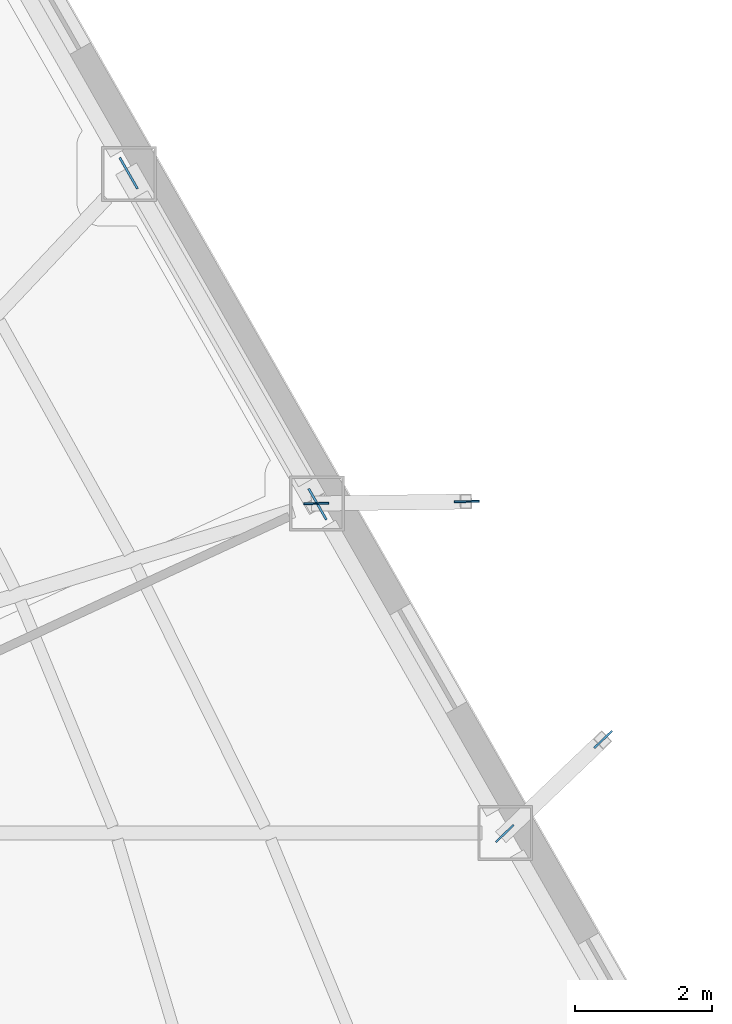
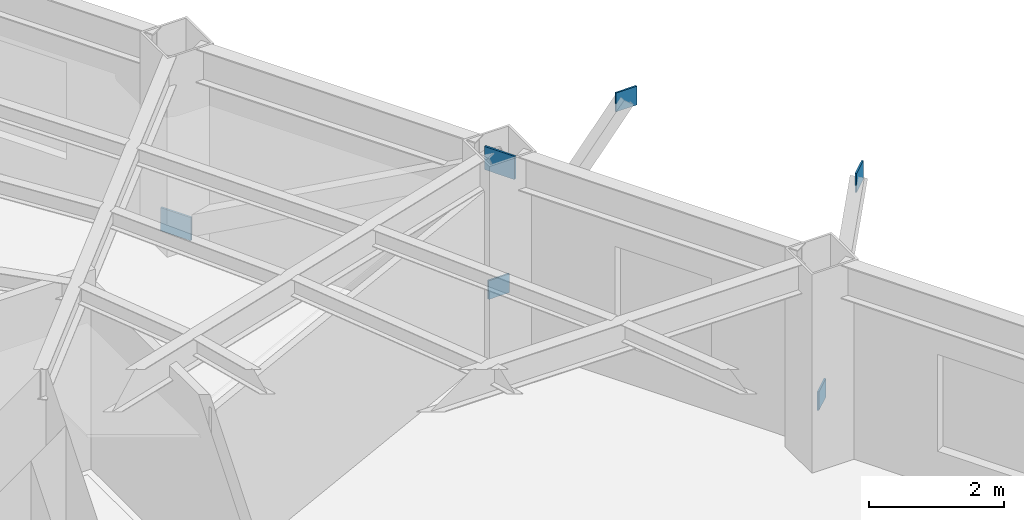
# One storey, part 6 of 12: 6 plates.
"""IFC4 building model written with IfcOpenShell, lengths in metres."""

import ifcopenshell
import ifcopenshell.guid

model = None  # the IFC model being written
_history = None  # IfcOwnerHistory: only IFC2X3 demands one
_inside = {}  # id of a spatial element -> (the spatial element, [elements in it])
_under = {}  # id of a project, library or spatial element -> (it, [spatial elements below it])
_declared = {}  # id of a project -> (the project, [libraries it declares])
_typed = {}  # id of a type object -> (the type object, [elements of that type])
_made_of = {}  # id of a material, layer set ... -> (it, [elements and type objects made of it])


def new_model(schema):
    """Start an empty IFC model of exactly this schema.

    Asked for "IFC4X3", IfcOpenShell would pick the latest addendum, in which some entities
    have other attributes; the version numbers below select the first issue.
    IFC2X3 requires an IfcOwnerHistory on every rooted entity: one is made here for all.
    """
    global model, _history
    if schema == "IFC4X3":
        model = ifcopenshell.file(schema_version=(4, 3, 0, 0))
    else:
        model = ifcopenshell.file(schema=schema)
    _inside.clear()
    _under.clear()
    _declared.clear()
    _typed.clear()
    _made_of.clear()
    _history = None
    if model.schema == "IFC2X3":
        org = make("IfcOrganization", Name="unknown")
        user = make(
            "IfcPersonAndOrganization",
            ThePerson=make("IfcPerson", FamilyName="unknown"),
            TheOrganization=org,
        )
        app = make(
            "IfcApplication",
            ApplicationDeveloper=org,
            Version="unknown",
            ApplicationFullName="unknown",
            ApplicationIdentifier="unknown",
        )
        _history = make(
            "IfcOwnerHistory",
            OwningUser=user,
            OwningApplication=app,
            ChangeAction="ADDED",
            CreationDate=0,
        )
    return model


def make(cls, **values):
    """One entity of the class cls with the attributes given. An attribute that is None is left unset."""
    return model.create_entity(
        cls, **{name: value for name, value in values.items() if value is not None}
    )


def rooted(cls, **values):
    """An entity with a GlobalId (a new one), such as an element, a storey or a relation."""
    return make(cls, GlobalId=ifcopenshell.guid.new(), OwnerHistory=_history, **values)


def si_unit(unit_type, name, prefix=None):
    """IfcSIUnit, for example si_unit("LENGTHUNIT", "METRE", prefix="MILLI")."""
    return make("IfcSIUnit", UnitType=unit_type, Prefix=prefix, Name=name)


def assignment(units):
    """IfcUnitAssignment: the units of a project."""
    return None if units is None else make("IfcUnitAssignment", Units=units)


def point(xyz):
    """IfcCartesianPoint."""
    return None if xyz is None else make("IfcCartesianPoint", Coordinates=xyz)


def direction(xyz):
    """IfcDirection."""
    return None if xyz is None else make("IfcDirection", DirectionRatios=xyz)


def frame(location, z_axis=None, x_axis=None):
    """IfcAxis2Placement3D, a coordinate frame: its origin and axes. An axis left out is left unset."""
    return make(
        "IfcAxis2Placement3D",
        Location=point(location),
        Axis=direction(z_axis),
        RefDirection=direction(x_axis),
    )


def frame_2d(location, x_axis=None):
    """IfcAxis2Placement2D, a coordinate frame in the plane: its origin and x axis."""
    return make(
        "IfcAxis2Placement2D", Location=point(location), RefDirection=direction(x_axis)
    )


def origin():
    """The frame at (0, 0, 0) with its axes left unset."""
    return frame((0.0, 0.0, 0.0))


def origin_2d():
    """The frame at (0, 0) in the plane with its x axis left unset."""
    return frame_2d((0.0, 0.0))


def place(relative_to, where):
    """IfcLocalPlacement: puts the frame where relative to a parent placement (None: the world)."""
    return make(
        "IfcLocalPlacement", PlacementRelTo=relative_to, RelativePlacement=where
    )


def context(
    kind, dimensions, precision=None, world=None, true_north=None, identifier=None
):
    """IfcGeometricRepresentationContext, for example the 3D "Model" context."""
    return make(
        "IfcGeometricRepresentationContext",
        ContextIdentifier=identifier,
        ContextType=kind,
        CoordinateSpaceDimension=dimensions,
        Precision=precision,
        WorldCoordinateSystem=world,
        TrueNorth=true_north,
    )


def subcontext(parent, identifier, kind, view, scale=None):
    """IfcGeometricRepresentationSubContext, for example "Body" below "Model"."""
    return make(
        "IfcGeometricRepresentationSubContext",
        ContextIdentifier=identifier,
        ContextType=kind,
        ParentContext=parent,
        TargetScale=scale,
        TargetView=view,
    )


def project(units=None, contexts=None):
    """IfcProject with its units and contexts."""
    return rooted(
        "IfcProject",
        Name="project",
        RepresentationContexts=contexts,
        UnitsInContext=assignment(units),
    )


def spatial(cls, under=None, at=None, **own):
    """A site, building, storey or space (cls), placed at a placement, below another one or the project."""
    s = rooted(cls, ObjectPlacement=at, **own)
    if under is not None:
        _under.setdefault(under.id(), (under, []))[1].append(s)
    return s


def profile(cls, at=None, kind="AREA", **sizes):
    """A parametric profile (cls). Its sizes go by their IFC names, for example OverallWidth=200.0."""
    return make(cls, ProfileType=kind, Position=at, **sizes)


def rectangle(**sizes):
    """IfcRectangleProfileDef."""
    return profile("IfcRectangleProfileDef", **sizes)


def extrude(swept, where, along, depth):
    """IfcExtrudedAreaSolid: the profile swept, set in the frame where, extruded along a direction by depth."""
    return make(
        "IfcExtrudedAreaSolid",
        SweptArea=swept,
        Position=where,
        ExtrudedDirection=direction(along),
        Depth=depth,
    )


def shape(context_of_items, identifier, shape_type, items):
    """IfcShapeRepresentation: the items that make up one representation, for example the "Body"."""
    return make(
        "IfcShapeRepresentation",
        ContextOfItems=context_of_items,
        RepresentationIdentifier=identifier,
        RepresentationType=shape_type,
        Items=items,
    )


def material(Name=None, Category=None):
    """IfcMaterial."""
    return make("IfcMaterial", Name=Name, Category=Category)


def layer(
    of_material, thickness, ventilated=None, Name=None, Category=None, Priority=None
):
    """IfcMaterialLayer: one layer of a wall or slab, of a material (None: an air gap)."""
    return make(
        "IfcMaterialLayer",
        Material=of_material,
        LayerThickness=thickness,
        IsVentilated=ventilated,
        Name=Name,
        Category=Category,
        Priority=Priority,
    )


def layer_set(layers, Name=None):
    """IfcMaterialLayerSet."""
    return make("IfcMaterialLayerSet", MaterialLayers=layers, LayerSetName=Name)


def made_of(thing, what):
    """Note that an element or type object is made of a material, layer set ...; save() writes the relation."""
    if what is not None:
        _made_of.setdefault(what.id(), (what, []))[1].append(thing)
    return thing


def type_object(cls, material=None, **own):
    """A type object (cls), such as IfcWallType, which elements share."""
    return made_of(rooted(cls, **own), material)


def element(
    cls,
    number,
    at=None,
    inside=None,
    cuts=None,
    type_object=None,
    material=None,
    context=None,
    identifier="Body",
    shape_type=None,
    held_by="IfcProductDefinitionShape",
    body=None,
    shapes=None,
    **own,
):
    """One element of the class cls, such as IfcWall. Its Tag is "e" and its number.

    at: its placement. inside: the storey or other place that contains it. cuts: it is an
    opening in that element (IfcRelVoidsElement). A single representation is given by context,
    identifier, shape_type and body (its items); several are given by shapes. held_by: the class
    of the entity that holds the representations. save() writes the other relations.
    """
    e = rooted(cls, Tag="e%d" % number, ObjectPlacement=at, **own)
    if body is not None:
        shapes = [shape(context, identifier, shape_type, body)]
    if shapes is not None:
        e.Representation = make(held_by, Representations=shapes)
    if inside is not None:
        _inside.setdefault(inside.id(), (inside, []))[1].append(e)
    if cuts is not None:
        rooted(
            "IfcRelVoidsElement", RelatingBuildingElement=cuts, RelatedOpeningElement=e
        )
    if type_object is not None:
        _typed.setdefault(type_object.id(), (type_object, []))[1].append(e)
    return made_of(e, material)


def aggregate(whole, parts):
    """IfcRelAggregates: a whole, such as a stair, and the parts it consists of."""
    return rooted("IfcRelAggregates", RelatingObject=whole, RelatedObjects=parts)


def save(model, path):
    """Write the relations noted so far, then the file.

    IfcRelAggregates (storeys below a building ...), IfcRelContainedInSpatialStructure (elements
    in a storey), IfcRelDefinesByType, IfcRelAssociatesMaterial and IfcRelDeclares: one each for
    every whole, place, type object, material and project.
    """
    for whole, parts in _under.values():
        aggregate(whole, parts)
    for where, things in _inside.values():
        rooted(
            "IfcRelContainedInSpatialStructure",
            RelatedElements=things,
            RelatingStructure=where,
        )
    for kind, things in _typed.values():
        rooted("IfcRelDefinesByType", RelatedObjects=things, RelatingType=kind)
    for what, things in _made_of.values():
        rooted("IfcRelAssociatesMaterial", RelatedObjects=things, RelatingMaterial=what)
    for by, libraries in _declared.values():
        rooted("IfcRelDeclares", RelatingContext=by, RelatedDefinitions=libraries)
    model.write(path)


model = new_model("IFC4")

# Units and contexts
model_context = context("Model", 3, precision=1e-05, world=origin(), true_north=direction((0.0, 1.0)))
body_context = subcontext(model_context, "Body", "Model", "MODEL_VIEW")
ifc_project = project(units=[si_unit("LENGTHUNIT", "METRE"), si_unit("AREAUNIT", "SQUARE_METRE"), si_unit("VOLUMEUNIT", "CUBIC_METRE"), si_unit("PLANEANGLEUNIT", "RADIAN"), si_unit("MASSUNIT", "GRAM", prefix="KILO")], contexts=[model_context])

# Site, building, storey
site_placement = place(None, origin())
site = spatial("IfcSite", under=ifc_project, at=site_placement, CompositionType="ELEMENT")
building_placement = place(site_placement, origin())
building = spatial("IfcBuilding", under=site, at=building_placement, Name="Kavelnor Concourse Tower", CompositionType="ELEMENT")
storey_placement = place(building_placement, frame((0.0, 0.0, 29.10009765625)))
storey = spatial("IfcBuildingStorey", under=building, at=storey_placement, Name="L07", CompositionType="ELEMENT", Elevation=29.10009765625)

# Plates
ifc_material = material(Name="Steel Grade 350", Category="steel")
ifc_layer_1 = layer(ifc_material, 0.028076171875, Name="Steel Grade 350")
ifc_layer_set_1 = layer_set([ifc_layer_1], Name="Steel Grade 350")
plate_type_1 = type_object("IfcPlateType", Name="PL-GUSSET-FOLD", PredefinedType="USERDEFINED", material=ifc_layer_set_1)
for number, where, z_axis, x_axis, name in (
    (1, (59.520751953125, 19.994873046875, 0.8798828125), (0.0, 0.0, 1.0), (0.722846553171, 0.691008582124, 0.0), "L07 Balcony Strut Gusset GP4 1-A End Gusset A"),
    (2, (60.954833984375, 21.365478515625, 3.48486328125), (0.0, 0.0, 1.0), (0.722846553171, 0.691008582124, 0.0), "L07 Balcony Strut Gusset GP4 1-A End Gusset B"),
    (3, (56.779541015625, 24.7998046875, 0.8798828125), (0.0, 0.0, 1.0), (0.999914327574, 0.013089595571, 0.0), "L07 Balcony Strut Gusset GP4 1-B End Gusset A"),
    (4, (58.97021484375, 24.828369140625, 3.48486328125), (0.0, 0.0, 1.0), (0.999914327574, 0.013089595571, 0.0), "L07 Balcony Strut Gusset GP4 1-B End Gusset B"),
):
    element("IfcPlate", number, at=place(storey_placement, frame(where, z_axis=z_axis, x_axis=x_axis)), inside=storey, type_object=plate_type_1, Name=name, ObjectType="GUSSET_PLATE", PredefinedType="USERDEFINED", context=body_context, shape_type="SweptSolid", body=[
        extrude(rectangle(XDim=0.360107421875, YDim=0.028076171875, at=origin_2d()), origin(), (0.0, 0.0, 1.0), 0.340087890625),
    ])
ifc_layer_2 = layer(ifc_material, 0.031982421875, Name="Steel Grade 350")
ifc_layer_set_2 = layer_set([ifc_layer_2], Name="Steel Grade 350")
plate_type_2 = type_object("IfcPlateType", Name="PL-GUSSET-TUBE-Z1", PredefinedType="USERDEFINED", material=ifc_layer_set_2)
for number, where, z_axis, x_axis, name in (
    (5, (54.047607421875, 29.607177734375, 0.010009765625), (0.0, 0.0, 1.0), (0.495761847839, -0.86845851382, 0.0), "L07 Tube Brace Gusset GP3 F2-B2 End Gusset A"),
    (6, (56.79736328125, 24.78955078125, 3.073974609375), (0.0, 0.0, 1.0), (0.495761847839, -0.86845851382, 0.0), "L07 Tube Brace Gusset GP3 F2-B2 End Gusset B"),
):
    element("IfcPlate", number, at=place(storey_placement, frame(where, z_axis=z_axis, x_axis=x_axis)), inside=storey, type_object=plate_type_2, Name=name, ObjectType="GUSSET_PLATE", PredefinedType="USERDEFINED", context=body_context, shape_type="SweptSolid", body=[
        extrude(rectangle(XDim=0.52001953125, YDim=0.031982421875, at=origin_2d()), origin(), (0.0, 0.0, 1.0), 0.419921875),
    ])

save(model, "model.ifc")
